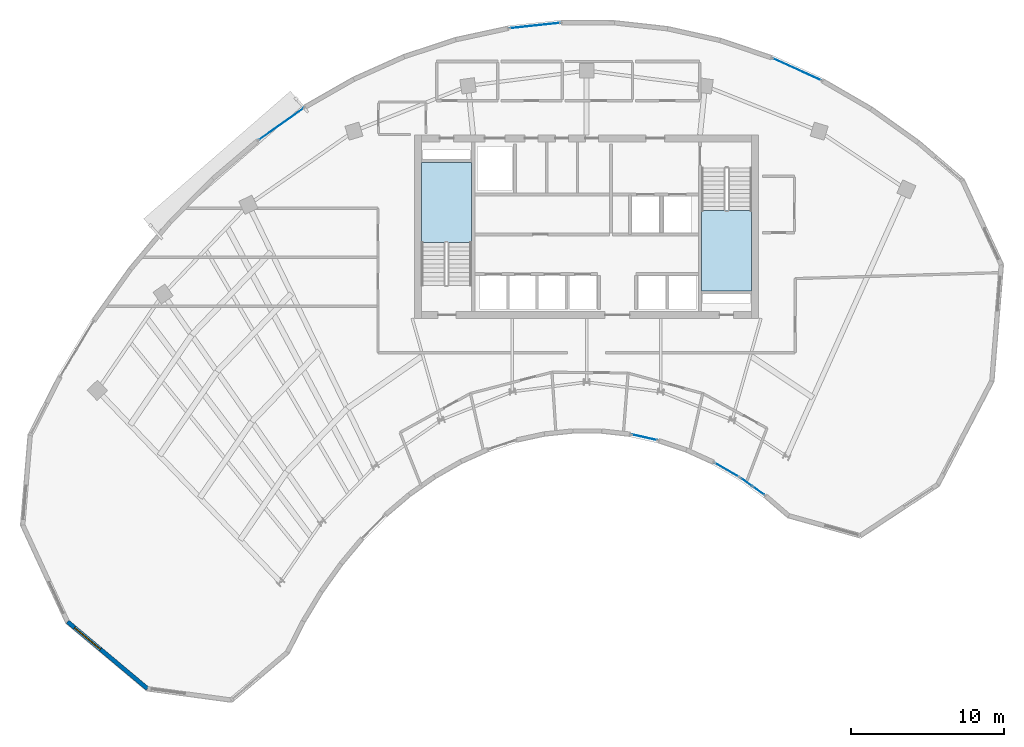
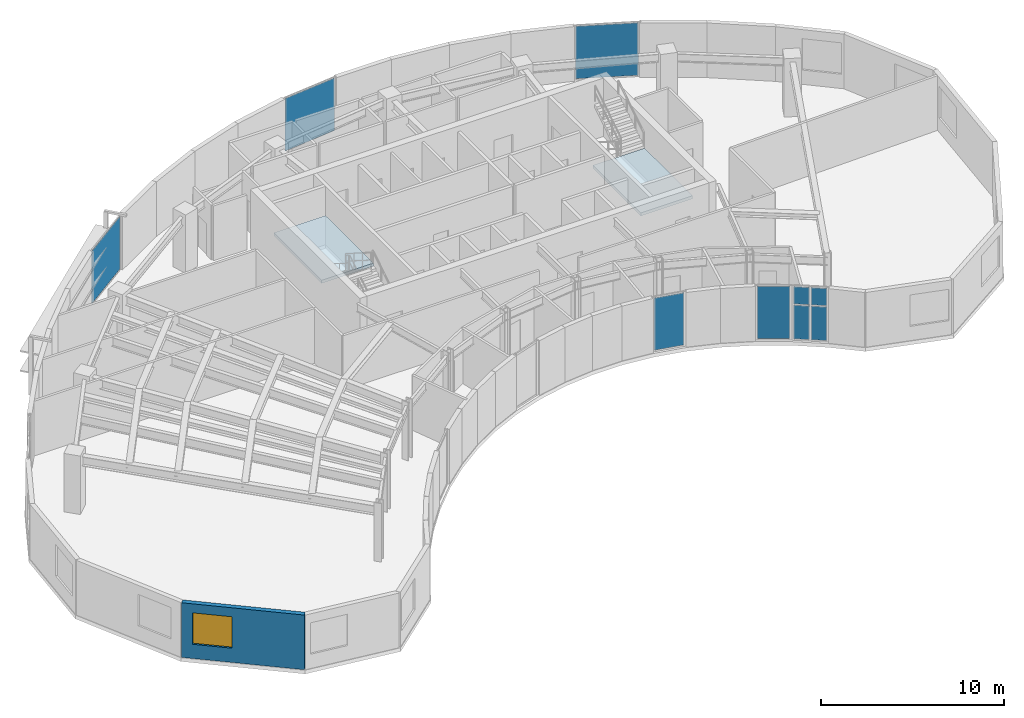
# One storey, part 6 of 12: 9 plates, 2 slabs, 1 wall, 1 window, 1 opening, 8 elements without a shape of their own.
"""IFC4 building model written with IfcOpenShell, lengths in metres."""

from ifc_helpers import new_model, si_unit, direction, frame, frame_2d, origin, origin_2d, place, context, subcontext, project, spatial, polyline, rectangle, outline, extrude, source, transform, mapped, material, layer, layer_set, type_object, type_shapes, element, fill, aggregate, save


model = new_model("IFC4")

# Units and contexts
model_context = context("Model", 3, precision=1e-05, world=origin(), true_north=direction((0.0, 1.0)))
body_context = subcontext(model_context, "Body", "Model", "MODEL_VIEW")
ifc_project = project(units=[si_unit("LENGTHUNIT", "METRE"), si_unit("AREAUNIT", "SQUARE_METRE"), si_unit("VOLUMEUNIT", "CUBIC_METRE"), si_unit("PLANEANGLEUNIT", "RADIAN"), si_unit("MASSUNIT", "GRAM", prefix="KILO")], contexts=[model_context])

# Site, building, storey
site_placement = place(None, origin())
site = spatial("IfcSite", under=ifc_project, at=site_placement, CompositionType="ELEMENT")
building_placement = place(site_placement, origin())
building = spatial("IfcBuilding", under=site, at=building_placement, Name="Breltana Convention Tower", CompositionType="ELEMENT")
storey_placement = place(building_placement, frame((0.0, 0.0, 239.10009765625)))
storey = spatial("IfcBuildingStorey", under=building, at=storey_placement, Name="L58", CompositionType="ELEMENT", Elevation=239.10009765625)

# Stair, slab
ifc_material_1 = material(Name="Concrete C40/50", Category="concrete")
stair_type = type_object("IfcStairType", Name="ST-DOG-1560-R177", PredefinedType="HALF_TURN_STAIR", material=ifc_material_1)
stair_1_placement = place(storey_placement, origin())
stair_1 = element("IfcStair", 1, at=stair_1_placement, inside=storey, type_object=stair_type, Name="L58 Protected Core Exit Stair ST-1", PredefinedType="HALF_TURN_STAIR")
ifc_layer_1 = layer(ifc_material_1, 0.199951171875, Name="Concrete C40/50")
ifc_layer_set_1 = layer_set([ifc_layer_1], Name="Concrete C40/50")
slab_type = type_object("IfcSlabType", Name="SL-STAIR-LANDING-200", PredefinedType="LANDING", material=ifc_layer_set_1)
slab_1_placement = place(storey_placement, frame((0.0, 0.0, 1.75)))
slab_1 = element("IfcSlab", 2, at=slab_1_placement, type_object=slab_type, Name="ST-1 landing 1", PredefinedType="LANDING", context=body_context, shape_type="SweptSolid", body=[
    extrude(outline(polyline([(40.469970703125, 65.159912109375), (40.469970703125, 70.39990234375), (37.199951171875, 70.39990234375), (37.199951171875, 65.159912109375), (40.469970703125, 65.159912109375)])), origin(), (0.0, 0.0, 1.0), 0.199951171875),
])
aggregate(stair_1, [slab_1])

stair_2_placement = place(storey_placement, origin())
stair_2 = element("IfcStair", 3, at=stair_2_placement, inside=storey, type_object=stair_type, Name="L58 Protected Core Exit Stair ST-2", PredefinedType="HALF_TURN_STAIR")
slab_2_placement = place(storey_placement, frame((0.0, 0.0, 1.75)))
slab_2 = element("IfcSlab", 4, at=slab_2_placement, type_object=slab_type, Name="ST-2 landing 1", PredefinedType="LANDING", context=body_context, shape_type="SweptSolid", body=[
    extrude(outline(polyline([(55.530029296875, 67.239990234375), (55.530029296875, 62.0), (58.800048828125, 62.0), (58.800048828125, 67.239990234375), (55.530029296875, 67.239990234375)])), origin(), (0.0, 0.0, 1.0), 0.199951171875),
])
aggregate(stair_2, [slab_2])

# Curtain wall, plates
ifc_material_2 = material(Name="Aluminium Anodised Bronze Frame", Category="aluminium")
ifc_layer_2 = layer(ifc_material_2, 0.18994140625, Name="Aluminium Anodised Bronze Frame")
ifc_layer_set_2 = layer_set([ifc_layer_2], Name="Aluminium Anodised Bronze Frame")
curtain_wall_type_1 = type_object("IfcCurtainWallType", Name="CW-SYS-1", PredefinedType="NOTDEFINED", material=ifc_layer_set_2)
curtain_wall_1_placement = place(storey_placement, origin())
curtain_wall_1 = element("IfcCurtainWall", 5, at=curtain_wall_1_placement, inside=storey, type_object=curtain_wall_type_1, Name="L58 inner south-court glazing 1", PredefinedType="NOTDEFINED")
ifc_material_3 = material(Name="Glass Low-E Double Glazing", Category="glass")
ifc_layer_3 = layer(ifc_material_3, 0.028076171875, Name="Glass Low-E Double Glazing")
ifc_layer_set_3 = layer_set([ifc_layer_3], Name="Glass Low-E Double Glazing")
plate_type = type_object("IfcPlateType", Name="CWP-IGU-28", PredefinedType="CURTAIN_PANEL", material=ifc_layer_set_3)
shared_shape_1 = source(origin(), body_context, "Body", "SweptSolid", [
    extrude(rectangle(XDim=0.88720703125, YDim=0.028076171875, at=origin_2d()), origin(), (0.0, 0.0, 1.0), 2.25244140625),
])
plate_1_placement = place(storey_placement, frame((59.2490234375, 48.93115234375, 0.079833984375), z_axis=(0.0, 0.0, 1.0), x_axis=(-0.814132405297, 0.580679280365, 0.0)))
plate_1 = element("IfcPlate", 6, at=plate_1_placement, type_object=plate_type, Name="CW-01 panel 1.1", PredefinedType="CURTAIN_PANEL", context=body_context, shape_type="MappedRepresentation", body=[
    mapped(shared_shape_1, transform((0.0, 0.0, 0.0), scale=1.0)),
])
plate_2_placement = place(storey_placement, frame((58.461669921875, 49.492919921875, 0.079833984375), z_axis=(0.0, 0.0, 1.0), x_axis=(-0.814132405297, 0.580679280365, 0.0)))
plate_2 = element("IfcPlate", 7, at=plate_2_placement, type_object=plate_type, Name="CW-01 panel 2.1", PredefinedType="CURTAIN_PANEL", context=body_context, shape_type="MappedRepresentation", body=[
    mapped(shared_shape_1, transform((0.0, 0.0, 0.0), scale=1.0)),
])
shared_shape_2 = source(origin(), body_context, "Body", "SweptSolid", [
    extrude(rectangle(XDim=0.88720703125, YDim=0.028076171875, at=origin_2d()), origin(), (0.0, 0.0, 1.0), 1.157470703125),
])
plate_3_placement = place(storey_placement, frame((59.2490234375, 48.93115234375, 2.41259765625), z_axis=(0.0, 0.0, 1.0), x_axis=(-0.814132405297, 0.580679280365, 0.0)))
plate_3 = element("IfcPlate", 8, at=plate_3_placement, type_object=plate_type, Name="CW-01 panel 1.2", PredefinedType="CURTAIN_PANEL", context=body_context, shape_type="MappedRepresentation", body=[
    mapped(shared_shape_2, transform((0.0, 0.0, 0.0), scale=1.0)),
])
plate_4_placement = place(storey_placement, frame((58.461669921875, 49.492919921875, 2.41259765625), z_axis=(0.0, 0.0, 1.0), x_axis=(-0.814132405297, 0.580679280365, 0.0)))
plate_4 = element("IfcPlate", 9, at=plate_4_placement, type_object=plate_type, Name="CW-01 panel 2.2", PredefinedType="CURTAIN_PANEL", context=body_context, shape_type="MappedRepresentation", body=[
    mapped(shared_shape_2, transform((0.0, 0.0, 0.0), scale=1.0)),
])
aggregate(curtain_wall_1, [plate_1, plate_3, plate_2, plate_4])

# Curtain wall, plate
curtain_wall_2_placement = place(storey_placement, origin())
curtain_wall_2 = element("IfcCurtainWall", 10, at=curtain_wall_2_placement, inside=storey, type_object=curtain_wall_type_1, Name="L58 inner south-court glazing 2", PredefinedType="NOTDEFINED")
shared_shape_3 = source(origin(), body_context, "Body", "SweptSolid", [
    extrude(rectangle(XDim=1.810791015625, YDim=0.028076171875, at=origin_2d()), origin(), (0.0, 0.0, 1.0), 3.489990234375),
])
plate_5_placement = place(storey_placement, frame((57.168212890625, 50.300048828125, 0.080078125), z_axis=(0.0, 0.0, 1.0), x_axis=(-0.865337111796, 0.501190266215, 0.0)))
plate_5 = element("IfcPlate", 11, at=plate_5_placement, type_object=plate_type, Name="CW-01 panel 1.1", PredefinedType="CURTAIN_PANEL", context=body_context, shape_type="MappedRepresentation", body=[
    mapped(shared_shape_3, transform((0.0, 0.0, 0.0), scale=1.0)),
])
aggregate(curtain_wall_2, [plate_5])

curtain_wall_3_placement = place(storey_placement, origin())
curtain_wall_3 = element("IfcCurtainWall", 12, at=curtain_wall_3_placement, inside=storey, type_object=curtain_wall_type_1, Name="L58 inner south-court glazing 3", PredefinedType="NOTDEFINED")
shared_shape_4 = source(origin(), body_context, "Body", "SweptSolid", [
    extrude(rectangle(XDim=1.7177734375, YDim=0.028076171875, at=origin_2d()), origin(), (0.0, 0.0, 1.0), 3.489990234375),
])
plate_6_placement = place(storey_placement, frame((51.7861328125, 52.422607421875, 0.080078125), z_axis=(0.0, 0.0, 1.0), x_axis=(-0.976143181725, 0.217127816671, 0.0)))
plate_6 = element("IfcPlate", 13, at=plate_6_placement, type_object=plate_type, Name="CW-01 panel 1.1", PredefinedType="CURTAIN_PANEL", context=body_context, shape_type="MappedRepresentation", body=[
    mapped(shared_shape_4, transform((0.0, 0.0, 0.0), scale=1.0)),
])
aggregate(curtain_wall_3, [plate_6])

ifc_layer_4 = layer(ifc_material_2, 0.219970703125, Name="Aluminium Anodised Bronze Frame")
ifc_layer_set_4 = layer_set([ifc_layer_4], Name="Aluminium Anodised Bronze Frame")
curtain_wall_type_2 = type_object("IfcCurtainWallType", Name="CW-SYS-4", PredefinedType="NOTDEFINED", material=ifc_layer_set_4)
curtain_wall_4_placement = place(storey_placement, origin())
curtain_wall_4 = element("IfcCurtainWall", 14, at=curtain_wall_4_placement, inside=storey, type_object=curtain_wall_type_2, Name="L58 outer double-skin inner glazing 2", PredefinedType="NOTDEFINED")
shared_shape_5 = source(origin(), body_context, "Body", "SweptSolid", [
    extrude(rectangle(XDim=3.610107421875, YDim=0.028076171875, at=origin_2d()), origin(), (0.0, 0.0, 1.0), 3.510009765625),
])
plate_7_placement = place(storey_placement, frame((28.03564453125, 72.91064453125, 0.06982421875), z_axis=(0.0, 0.0, 1.0), x_axis=(0.817009024955, 0.576624880786, 0.0)))
plate_7 = element("IfcPlate", 15, at=plate_7_placement, type_object=plate_type, Name="CW-04 panel 1.1", PredefinedType="CURTAIN_PANEL", context=body_context, shape_type="MappedRepresentation", body=[
    mapped(shared_shape_5, transform((0.0, 0.0, 0.0), scale=1.0)),
])
aggregate(curtain_wall_4, [plate_7])

curtain_wall_5_placement = place(storey_placement, origin())
curtain_wall_5 = element("IfcCurtainWall", 16, at=curtain_wall_5_placement, inside=storey, type_object=curtain_wall_type_2, Name="L58 outer double-skin inner glazing 3", PredefinedType="NOTDEFINED")
shared_shape_6 = source(origin(), body_context, "Body", "SweptSolid", [
    extrude(rectangle(XDim=3.326171875, YDim=0.028076171875, at=origin_2d()), origin(), (0.0, 0.0, 1.0), 3.510009765625),
])
plate_8_placement = place(storey_placement, frame((44.621337890625, 79.34765625, 0.06982421875), z_axis=(0.0, 0.0, 1.0), x_axis=(0.994422311203, 0.105471640654, 0.0)))
plate_8 = element("IfcPlate", 17, at=plate_8_placement, type_object=plate_type, Name="CW-04 panel 1.1", PredefinedType="CURTAIN_PANEL", context=body_context, shape_type="MappedRepresentation", body=[
    mapped(shared_shape_6, transform((0.0, 0.0, 0.0), scale=1.0)),
])
aggregate(curtain_wall_5, [plate_8])

curtain_wall_6_placement = place(storey_placement, origin())
curtain_wall_6 = element("IfcCurtainWall", 18, at=curtain_wall_6_placement, inside=storey, type_object=curtain_wall_type_2, Name="L58 outer double-skin inner glazing 4", PredefinedType="NOTDEFINED")
shared_shape_7 = source(origin(), body_context, "Body", "SweptSolid", [
    extrude(rectangle(XDim=3.45947265625, YDim=0.028076171875, at=origin_2d()), origin(), (0.0, 0.0, 1.0), 3.510009765625),
])
plate_9_placement = place(storey_placement, frame((61.75048828125, 76.488037109375, 0.06982421875), z_axis=(0.0, 0.0, 1.0), x_axis=(0.910486602729, -0.413538566823, 0.0)))
plate_9 = element("IfcPlate", 19, at=plate_9_placement, type_object=plate_type, Name="CW-04 panel 1.1", PredefinedType="CURTAIN_PANEL", context=body_context, shape_type="MappedRepresentation", body=[
    mapped(shared_shape_7, transform((0.0, 0.0, 0.0), scale=1.0)),
])
aggregate(curtain_wall_6, [plate_9])

# Wall, opening, window
ifc_material_4 = material(Name="Limestone Buff Insulated Wall", Category="masonry")
ifc_layer_5 = layer(ifc_material_4, 0.280029296875, Name="Limestone Buff Insulated Wall")
ifc_layer_set_5 = layer_set([ifc_layer_5], Name="Limestone Buff Insulated Wall")
wall_type = type_object("IfcWallType", Name="WL-EXT-NOSE-280", PredefinedType="SOLIDWALL", material=ifc_layer_set_5)
shared_shape_8 = source(origin(), body_context, "Body", "SweptSolid", [
    extrude(rectangle(XDim=6.81201171875, YDim=0.280029296875, at=frame_2d((3.406005859375, 0.0))), origin(), (0.0, 0.0, 1.0), 3.64990234375),
])
wall_placement = place(storey_placement, frame((19.286376953125, 35.98828125, 0.0), z_axis=(0.0, 0.0, 1.0), x_axis=(-0.766712133953, 0.641991046394, 0.0)))
wall = element("IfcWall", 20, at=wall_placement, inside=storey, type_object=wall_type, Name="L58 curved limestone nose wall W4", PredefinedType="SOLIDWALL", context=body_context, shape_type="MappedRepresentation", body=[
    mapped(shared_shape_8, transform((0.0, 0.0, 0.0), scale=1.0)),
])
opening_placement = place(wall_placement, frame((4.009033203125, 0.0, 0.949951171875)))
opening = element("IfcOpeningElement", 21, at=opening_placement, cuts=wall, Name="Opening W-03", PredefinedType="OPENING", context=body_context, shape_type="SweptSolid", body=[
    extrude(rectangle(XDim=2.199951171875, YDim=2.10009765625, at=frame_2d((1.10009765625, 1.050048828125))), frame((0.0, 0.14990234375, 0.0), z_axis=(0.0, -1.0, 0.0), x_axis=(1.0, 0.0, 0.0)), (0.0, 0.0, 1.0), 0.300048828125),
])
ifc_material_5 = material(Name="Glass Low-E Insulated Window", Category="glass")
window_type = type_object("IfcWindowType", Name="WN-NOSE-2200X2100", PartitioningType="TRIPLE_PANEL_VERTICAL", PredefinedType="WINDOW", material=ifc_material_5)
shared_shape_9 = source(origin(), body_context, "Body", "SweptSolid", [
    extrude(rectangle(XDim=2.199951171875, YDim=2.10009765625, at=frame_2d((1.10009765625, 1.050048828125))), frame((0.0, 0.030029296875, 0.0), z_axis=(0.0, -1.0, 0.0), x_axis=(1.0, 0.0, 0.0)), (0.0, 0.0, 1.0), 0.06005859375),
])
type_shapes(window_type, [shared_shape_9])
window_placement = place(opening_placement, origin())
window = element("IfcWindow", 22, at=window_placement, inside=storey, type_object=window_type, Name="L58 nose window W4", OverallHeight=2.10009765625, OverallWidth=2.199951171875, PartitioningType="TRIPLE_PANEL_VERTICAL", PredefinedType="WINDOW", context=body_context, shape_type="MappedRepresentation", body=[
    mapped(shared_shape_9, transform((0.0, 0.0, 0.0), scale=1.0)),
])
fill(opening, window)

save(model, "model.ifc")
